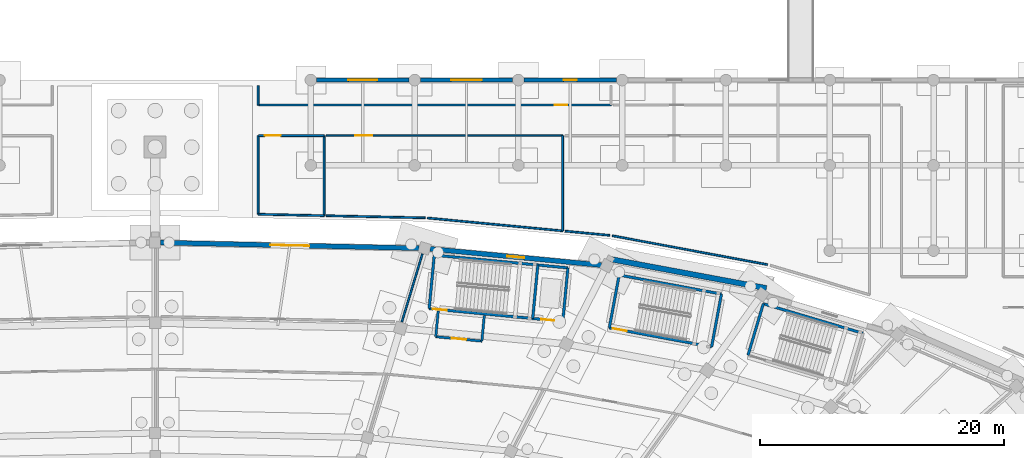
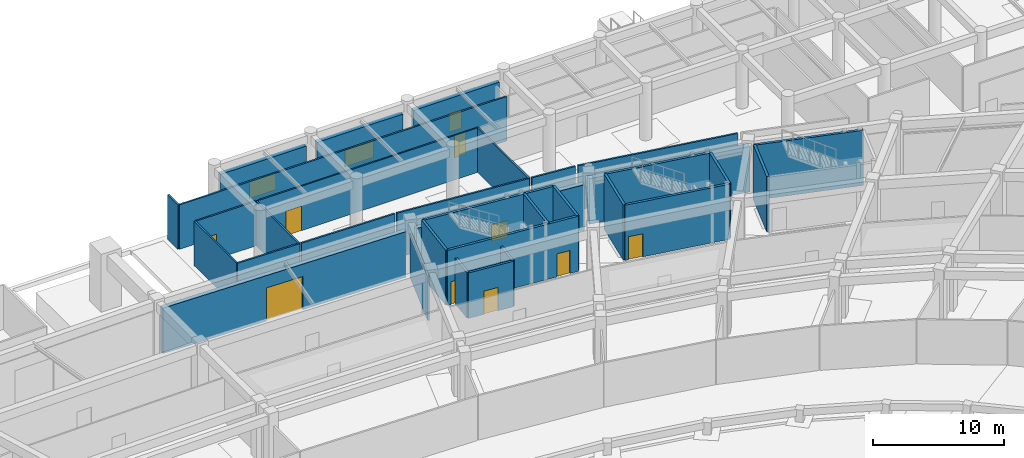
# One storey, part 62 of 88: 33 walls, 8 doors, 4 windows, 12 openings.
"""IFC4 building model written with IfcOpenShell, lengths in metres."""

from ifc_helpers import new_model, si_unit, direction, frame, frame_2d, origin, place, context, subcontext, project, spatial, rectangle, extrude, material, layer, layer_set, type_object, element, fill, save


model = new_model("IFC4")

# Units and contexts
model_context = context("Model", 3, precision=1e-05, world=origin(), true_north=direction((0.0, 1.0)))
body_context = subcontext(model_context, "Body", "Model", "MODEL_VIEW")
ifc_project = project(units=[si_unit("LENGTHUNIT", "METRE"), si_unit("AREAUNIT", "SQUARE_METRE"), si_unit("VOLUMEUNIT", "CUBIC_METRE"), si_unit("PLANEANGLEUNIT", "RADIAN"), si_unit("MASSUNIT", "GRAM", prefix="KILO")], contexts=[model_context])

# Site, building, storey
site_placement = place(None, origin())
site = spatial("IfcSite", under=ifc_project, at=site_placement, CompositionType="ELEMENT")
building_placement = place(site_placement, origin())
building = spatial("IfcBuilding", under=site, at=building_placement, Name="Mphavela Belvedere Stadium", CompositionType="ELEMENT")
storey_placement = place(building_placement, origin())
storey = spatial("IfcBuildingStorey", under=building, at=storey_placement, Name="L00", CompositionType="ELEMENT", Elevation=0.0)

# Walls
ifc_material_1 = material(Name="Concrete C40/50", Category="concrete")
ifc_layer_1 = layer(ifc_material_1, 0.219970703125)
ifc_layer_set_1 = layer_set([ifc_layer_1], Name="Concrete C40/50")
wall_type_1 = type_object("IfcWallType", Name="WAL-CORE-SHEAR-220", PredefinedType="SHEAR", material=ifc_layer_set_1)
wall_1_placement = place(storey_placement, frame((137.908935546875, 159.633544921875, 0.0), z_axis=(0.0, 0.0, 1.0), x_axis=(0.99547962713, -0.094975322952, 0.0)))
element("IfcWall", 1, at=wall_1_placement, inside=storey, type_object=wall_type_1, Name="Core C03 shear wall L00 rear", PredefinedType="SHEAR", context=body_context, shape_type="SweptSolid", body=[
    extrude(rectangle(XDim=11.02001953125, YDim=0.219970703125, at=frame_2d((5.510009765625, 0.0))), origin(), (0.0, 0.0, 1.0), 5.14990234375),
])
wall_2_placement = place(storey_placement, frame((137.489990234375, 155.243408203125, 0.0), z_axis=(0.0, 0.0, 1.0), x_axis=(0.094997189401, 0.995477540684, 0.0)))
element("IfcWall", 2, at=wall_2_placement, inside=storey, type_object=wall_type_1, Name="Core C03 shear wall L00 left", PredefinedType="SHEAR", context=body_context, shape_type="SweptSolid", body=[
    extrude(rectangle(XDim=4.41015625, YDim=0.219970703125, at=frame_2d((2.205078125, 0.0))), origin(), (0.0, 0.0, 1.0), 5.14990234375),
])
wall_3_placement = place(storey_placement, frame((148.460205078125, 154.197021484375, 0.0), z_axis=(0.0, 0.0, 1.0), x_axis=(0.095002424918, 0.995477041051, 0.0)))
element("IfcWall", 3, at=wall_3_placement, inside=storey, type_object=wall_type_1, Name="Core C03 shear wall L00 right", PredefinedType="SHEAR", context=body_context, shape_type="SweptSolid", body=[
    extrude(rectangle(XDim=4.409912109375, YDim=0.219970703125, at=frame_2d((2.205078125, 0.0))), origin(), (0.0, 0.0, 1.0), 5.14990234375),
])

# Wall, openings, doors
wall_4_placement = place(storey_placement, frame((137.489990234375, 155.243408203125, 0.0), z_axis=(0.0, 0.0, 1.0), x_axis=(0.995481721489, -0.094953368458, 0.0)))
wall_4 = element("IfcWall", 4, at=wall_4_placement, inside=storey, type_object=wall_type_1, Name="Core C03 shear wall L00 front", PredefinedType="SHEAR", context=body_context, shape_type="SweptSolid", body=[
    extrude(rectangle(XDim=11.02001953125, YDim=0.219970703125, at=frame_2d((5.510009765625, 0.0))), origin(), (0.0, 0.0, 1.0), 5.14990234375),
])
opening_1_placement = place(wall_4_placement, frame((0.300048828125, 0.0, 0.0)))
opening_1 = element("IfcOpeningElement", 5, at=opening_1_placement, cuts=wall_4, Name="Opening SD-011", PredefinedType="OPENING", context=body_context, shape_type="SweptSolid", body=[
    extrude(rectangle(XDim=1.14990234375, YDim=2.14990234375, at=frame_2d((0.574951171875, 1.074951171875))), frame((0.0, 0.1201171875, 0.0), z_axis=(0.0, -1.0, 0.0), x_axis=(1.0, 0.0, 0.0)), (0.0, 0.0, 1.0), 0.239990234375),
])
opening_2_placement = place(wall_4_placement, frame((9.22998046875, 0.0, 0.0)))
opening_2 = element("IfcOpeningElement", 6, at=opening_2_placement, cuts=wall_4, Name="Opening LD-011", PredefinedType="OPENING", context=body_context, shape_type="SweptSolid", body=[
    extrude(rectangle(XDim=1.10009765625, YDim=2.14990234375, at=frame_2d((0.550048828125, 1.074951171875))), frame((0.0, 0.1201171875, 0.0), z_axis=(0.0, -1.0, 0.0), x_axis=(1.0, 0.0, 0.0)), (0.0, 0.0, 1.0), 0.239990234375),
])
ifc_material_2 = material(Name="Stainless steel center-parting lift landing door", Category="steel")
door_type_1 = type_object("IfcDoorType", Name="DR-LIFT-SLIDE-1100", OperationType="NOTDEFINED", PredefinedType="DOOR", material=ifc_material_2)
door_1_placement = place(opening_2_placement, origin())
door_1 = element("IfcDoor", 7, at=door_1_placement, inside=storey, type_object=door_type_1, Name="Lift landing sliding door FL02 L00", OperationType="DOUBLE_DOOR_SLIDING", OverallHeight=2.14990234375, OverallWidth=1.10009765625, PredefinedType="DOOR", context=body_context, shape_type="SweptSolid", body=[
    extrude(rectangle(XDim=1.10009765625, YDim=2.14990234375, at=frame_2d((0.550048828125, 1.074951171875))), frame((0.0, 0.02490234375, 0.0), z_axis=(0.0, -1.0, 0.0), x_axis=(1.0, 0.0, 0.0)), (0.0, 0.0, 1.0), 0.050048828125),
])
fill(opening_2, door_1)
ifc_material_3 = material(Name="Steel acoustic fire-resisting stair doorset", Category="steel")
door_type_2 = type_object("IfcDoorType", Name="DR-STAIR-FIRE-1150", OperationType="NOTDEFINED", PredefinedType="DOOR", material=ifc_material_3)
door_2_placement = place(opening_1_placement, origin())
door_2 = element("IfcDoor", 8, at=door_2_placement, inside=storey, type_object=door_type_2, Name="Escape stair fire door C03 L00", OperationType="SINGLE_SWING_RIGHT", OverallHeight=2.14990234375, OverallWidth=1.14990234375, PredefinedType="DOOR", context=body_context, shape_type="SweptSolid", body=[
    extrude(rectangle(XDim=1.14990234375, YDim=2.14990234375, at=frame_2d((0.574951171875, 1.074951171875))), frame((0.0, 0.02490234375, 0.0), z_axis=(0.0, -1.0, 0.0), x_axis=(1.0, 0.0, 0.0)), (0.0, 0.0, 1.0), 0.050048828125),
])
fill(opening_1, door_2)

# Walls
wall_5_placement = place(storey_placement, frame((145.991455078125, 154.432373046875, 0.0), z_axis=(0.0, 0.0, 1.0), x_axis=(0.094997189401, 0.995477540684, 0.0)))
element("IfcWall", 9, at=wall_5_placement, inside=storey, type_object=wall_type_1, Name="Core C03 shear wall L00 div", PredefinedType="SHEAR", context=body_context, shape_type="SweptSolid", body=[
    extrude(rectangle(XDim=4.41015625, YDim=0.219970703125, at=frame_2d((2.205078125, 0.0))), origin(), (0.0, 0.0, 1.0), 5.14990234375),
])
wall_6_placement = place(storey_placement, frame((164.917724609375, 155.643798828125, 0.0), z_axis=(0.0, 0.0, 1.0), x_axis=(0.958675743706, -0.284500998997, 0.0)))
element("IfcWall", 10, at=wall_6_placement, inside=storey, type_object=wall_type_1, Name="Core P01 shear wall L00 rear", PredefinedType="SHEAR", context=body_context, shape_type="SweptSolid", body=[
    extrude(rectangle(XDim=8.540283203125, YDim=0.219970703125, at=frame_2d((4.27001953125, 0.0))), origin(), (0.0, 0.0, 1.0), 5.14990234375),
])
wall_7_placement = place(storey_placement, frame((163.6630859375, 151.416015625, 0.0), z_axis=(0.0, 0.0, 1.0), x_axis=(0.284497328872, 0.958676832861, 0.0)))
element("IfcWall", 11, at=wall_7_placement, inside=storey, type_object=wall_type_1, Name="Core P01 shear wall L00 left", PredefinedType="SHEAR", context=body_context, shape_type="SweptSolid", body=[
    extrude(rectangle(XDim=4.409912109375, YDim=0.219970703125, at=frame_2d((2.205078125, 0.0))), origin(), (0.0, 0.0, 1.0), 5.14990234375),
])
wall_8_placement = place(storey_placement, frame((153.0859375, 158.00146484375, 0.0), z_axis=(0.0, 0.0, 1.0), x_axis=(0.983097993869, -0.18308013123, 0.0)))
element("IfcWall", 12, at=wall_8_placement, inside=storey, type_object=wall_type_1, Name="Core P02 shear wall L00 rear", PredefinedType="SHEAR", context=body_context, shape_type="SweptSolid", body=[
    extrude(rectangle(XDim=8.539794921875, YDim=0.219970703125, at=frame_2d((4.27001953125, 0.0))), origin(), (0.0, 0.0, 1.0), 5.14990234375),
])
for number, where, z_axis, x_axis, name in (
    (13, (152.278564453125, 153.666015625, 0.0), (0.0, 0.0, 1.0), (0.183078394814, 0.983098317236, 0.0), "Core P02 shear wall L00 left"),
    (14, (160.674072265625, 152.1025390625, 0.0), (0.0, 0.0, 1.0), (0.183078394814, 0.983098317236, 0.0), "Core P02 shear wall L00 right"),
):
    element("IfcWall", number, at=place(storey_placement, frame(where, z_axis=z_axis, x_axis=x_axis)), inside=storey, type_object=wall_type_1, Name=name, PredefinedType="SHEAR", context=body_context, shape_type="SweptSolid", body=[
        extrude(rectangle(XDim=4.409912109375, YDim=0.219970703125, at=frame_2d((2.205078125, 0.0))), origin(), (0.0, 0.0, 1.0), 5.14990234375),
    ])

# Wall, opening, door
wall_9_placement = place(storey_placement, frame((152.278564453125, 153.666015625, 0.0), z_axis=(0.0, 0.0, 1.0), x_axis=(0.983097993869, -0.18308013123, 0.0)))
wall_9 = element("IfcWall", 15, at=wall_9_placement, inside=storey, type_object=wall_type_1, Name="Core P02 shear wall L00 front", PredefinedType="SHEAR", context=body_context, shape_type="SweptSolid", body=[
    extrude(rectangle(XDim=8.539794921875, YDim=0.219970703125, at=frame_2d((4.27001953125, 0.0))), origin(), (0.0, 0.0, 1.0), 5.14990234375),
])
opening_3_placement = place(wall_9_placement, frame((0.300048828125, 0.0, 0.0)))
opening_3 = element("IfcOpeningElement", 16, at=opening_3_placement, cuts=wall_9, Name="Opening SD-072", PredefinedType="OPENING", context=body_context, shape_type="SweptSolid", body=[
    extrude(rectangle(XDim=1.14990234375, YDim=2.14990234375, at=frame_2d((0.574951171875, 1.074951171875))), frame((0.0, 0.1201171875, 0.0), z_axis=(0.0, -1.0, 0.0), x_axis=(1.0, 0.0, 0.0)), (0.0, 0.0, 1.0), 0.239990234375),
])
door_3_placement = place(opening_3_placement, origin())
door_3 = element("IfcDoor", 17, at=door_3_placement, inside=storey, type_object=door_type_2, Name="Escape stair fire door P02 L00", OperationType="SINGLE_SWING_RIGHT", OverallHeight=2.14990234375, OverallWidth=1.14990234375, PredefinedType="DOOR", context=body_context, shape_type="SweptSolid", body=[
    extrude(rectangle(XDim=1.14990234375, YDim=2.14990234375, at=frame_2d((0.574951171875, 1.074951171875))), frame((0.0, 0.02490234375, 0.0), z_axis=(0.0, -1.0, 0.0), x_axis=(1.0, 0.0, 0.0)), (0.0, 0.0, 1.0), 0.050048828125),
])
fill(opening_3, door_3)

# Wall, opening, window
ifc_material_4 = material(Name="Honed ashlar limestone masonry", Category="masonry")
ifc_layer_2 = layer(ifc_material_4, 0.35009765625)
ifc_layer_set_2 = layer_set([ifc_layer_2], Name="Honed ashlar limestone masonry")
wall_type_2 = type_object("IfcWallType", Name="WAL-EXT-ASHLAR-350", PredefinedType="STANDARD", material=ifc_layer_set_2)
wall_10_placement = place(storey_placement, frame((128.2509765625, 174.0, 0.0), z_axis=(0.0, 0.0, 1.0), x_axis=(1.0, 0.0, 0.0)))
wall_10 = element("IfcWall", 18, at=wall_10_placement, inside=storey, type_object=wall_type_2, Name="North Mast and Ceremonial End Forecourt outer facade bay L00-16", PredefinedType="STANDARD", context=body_context, shape_type="SweptSolid", body=[
    extrude(rectangle(XDim=7.572021484375, YDim=0.35009765625, at=frame_2d((3.7861328125, 0.0))), origin(), (0.0, 0.0, 1.0), 4.159912109375),
])
opening_4_placement = place(wall_10_placement, frame((2.60595703125, 0.0, 0.89990234375)))
opening_4 = element("IfcOpeningElement", 19, at=opening_4_placement, cuts=wall_10, Name="Opening W-142", PredefinedType="OPENING", context=body_context, shape_type="SweptSolid", body=[
    extrude(rectangle(XDim=2.360107421875, YDim=1.550048828125, at=frame_2d((1.18017578125, 0.77490234375))), frame((0.0, 0.18505859375, 0.0), z_axis=(0.0, -1.0, 0.0), x_axis=(1.0, 0.0, 0.0)), (0.0, 0.0, 1.0), 0.3701171875),
])
ifc_material_5 = material(Name="Bronze-anodised thermally broken aluminium window", Category="aluminium")
window_type_1 = type_object("IfcWindowType", Name="WIN-EXT-10", PartitioningType="SINGLE_PANEL", PredefinedType="WINDOW", material=ifc_material_5)
window_1_placement = place(opening_4_placement, origin())
window_1 = element("IfcWindow", 20, at=window_1_placement, inside=storey, type_object=window_type_1, Name="North Mast and Ceremonial End Forecourt classical window W-142", OverallHeight=1.550048828125, OverallWidth=2.360107421875, PartitioningType="SINGLE_PANEL", PredefinedType="WINDOW", context=body_context, shape_type="SweptSolid", body=[
    extrude(rectangle(XDim=2.360107421875, YDim=1.550048828125, at=frame_2d((1.18017578125, 0.77490234375))), frame((0.0, 0.030029296875, 0.0), z_axis=(0.0, -1.0, 0.0), x_axis=(1.0, 0.0, 0.0)), (0.0, 0.0, 1.0), 0.06005859375),
])
fill(opening_4, window_1)

wall_11_placement = place(storey_placement, frame((136.76904296875, 174.0, 0.0), z_axis=(0.0, 0.0, 1.0), x_axis=(1.0, 0.0, 0.0)))
wall_11 = element("IfcWall", 21, at=wall_11_placement, inside=storey, type_object=wall_type_2, Name="North Mast and Ceremonial End Forecourt outer facade bay L00-17", PredefinedType="STANDARD", context=body_context, shape_type="SweptSolid", body=[
    extrude(rectangle(XDim=7.572998046875, YDim=0.35009765625, at=frame_2d((3.78662109375, 0.0))), origin(), (0.0, 0.0, 1.0), 4.159912109375),
])
opening_5_placement = place(wall_11_placement, frame((2.526611328125, 0.0, 0.89990234375)))
opening_5 = element("IfcOpeningElement", 22, at=opening_5_placement, cuts=wall_11, Name="Opening W-143", PredefinedType="OPENING", context=body_context, shape_type="SweptSolid", body=[
    extrude(rectangle(XDim=2.52001953125, YDim=1.550048828125, at=frame_2d((1.260009765625, 0.77490234375))), frame((0.0, 0.18505859375, 0.0), z_axis=(0.0, -1.0, 0.0), x_axis=(1.0, 0.0, 0.0)), (0.0, 0.0, 1.0), 0.3701171875),
])
ifc_material_6 = material(Name="Bronze-anodised thermally broken aluminium window", Category="aluminium")
window_type_2 = type_object("IfcWindowType", Name="WIN-EXT-11", PartitioningType="SINGLE_PANEL", PredefinedType="WINDOW", material=ifc_material_6)
window_2_placement = place(opening_5_placement, origin())
window_2 = element("IfcWindow", 23, at=window_2_placement, inside=storey, type_object=window_type_2, Name="North Mast and Ceremonial End Forecourt classical window W-143", OverallHeight=1.550048828125, OverallWidth=2.52001953125, PartitioningType="SINGLE_PANEL", PredefinedType="WINDOW", context=body_context, shape_type="SweptSolid", body=[
    extrude(rectangle(XDim=2.52001953125, YDim=1.550048828125, at=frame_2d((1.260009765625, 0.77490234375))), frame((0.0, 0.030029296875, 0.0), z_axis=(0.0, -1.0, 0.0), x_axis=(1.0, 0.0, 0.0)), (0.0, 0.0, 1.0), 0.06005859375),
])
fill(opening_5, window_2)

wall_12_placement = place(storey_placement, frame((145.2880859375, 174.0, 0.0), z_axis=(0.0, 0.0, 1.0), x_axis=(1.0, 0.0, 0.0)))
wall_12 = element("IfcWall", 24, at=wall_12_placement, inside=storey, type_object=wall_type_2, Name="North Mast and Ceremonial End Forecourt outer facade bay L00-18", PredefinedType="STANDARD", context=body_context, shape_type="SweptSolid", body=[
    extrude(rectangle(XDim=7.572021484375, YDim=0.35009765625, at=frame_2d((3.7861328125, 0.0))), origin(), (0.0, 0.0, 1.0), 4.159912109375),
])
opening_6_placement = place(wall_12_placement, frame((3.236083984375, 0.0, 0.89990234375)))
opening_6 = element("IfcOpeningElement", 25, at=opening_6_placement, cuts=wall_12, Name="Opening W-144", PredefinedType="OPENING", context=body_context, shape_type="SweptSolid", body=[
    extrude(rectangle(XDim=1.10009765625, YDim=1.75, at=frame_2d((0.550048828125, 0.875))), frame((0.0, 0.18505859375, 0.0), z_axis=(0.0, -1.0, 0.0), x_axis=(1.0, 0.0, 0.0)), (0.0, 0.0, 1.0), 0.3701171875),
])
ifc_material_7 = material(Name="Bronze-anodised thermally broken aluminium window", Category="aluminium")
window_type_3 = type_object("IfcWindowType", Name="WIN-EXT-12", PartitioningType="SINGLE_PANEL", PredefinedType="WINDOW", material=ifc_material_7)
window_3_placement = place(opening_6_placement, origin())
window_3 = element("IfcWindow", 26, at=window_3_placement, inside=storey, type_object=window_type_3, Name="North Mast and Ceremonial End Forecourt classical window W-144", OverallHeight=1.75, OverallWidth=1.10009765625, PartitioningType="SINGLE_PANEL", PredefinedType="WINDOW", context=body_context, shape_type="SweptSolid", body=[
    extrude(rectangle(XDim=1.10009765625, YDim=1.75, at=frame_2d((0.550048828125, 0.875))), frame((0.0, 0.030029296875, 0.0), z_axis=(0.0, -1.0, 0.0), x_axis=(1.0, 0.0, 0.0)), (0.0, 0.0, 1.0), 0.06005859375),
])
fill(opening_6, window_3)

ifc_material_8 = material(Name="Rusticated ashlar limestone masonry", Category="masonry")
ifc_layer_3 = layer(ifc_material_8, 0.39990234375)
ifc_layer_set_3 = layer_set([ifc_layer_3], Name="Rusticated ashlar limestone masonry")
wall_type_3 = type_object("IfcWallType", Name="WAL-EXT-ASHLAR-400", PredefinedType="STANDARD", material=ifc_layer_set_3)
wall_13_placement = place(storey_placement, frame((137.560546875, 160.1513671875, 0.0), z_axis=(0.0, 0.0, 1.0), x_axis=(0.995482650467, -0.094943628644, 0.0)))
wall_13 = element("IfcWall", 27, at=wall_13_placement, inside=storey, type_object=wall_type_3, Name="Ground plinth rusticated ashlar wall 11", PredefinedType="STANDARD", context=body_context, shape_type="SweptSolid", body=[
    extrude(rectangle(XDim=14.1298828125, YDim=0.39990234375, at=frame_2d((7.06494140625, 0.0))), origin(), (0.0, 0.0, 1.0), 4.25),
])
opening_7_placement = place(wall_13_placement, frame((6.375, 0.0, 1.10009765625)))
opening_7 = element("IfcOpeningElement", 28, at=opening_7_placement, cuts=wall_13, Name="Opening W-003", PredefinedType="OPENING", context=body_context, shape_type="SweptSolid", body=[
    extrude(rectangle(XDim=1.3798828125, YDim=1.550048828125, at=frame_2d((0.68994140625, 0.77490234375))), frame((0.0, 0.2099609375, 0.0), z_axis=(0.0, -1.0, 0.0), x_axis=(1.0, 0.0, 0.0)), (0.0, 0.0, 1.0), 0.419921875),
])
ifc_material_9 = material(Name="Bronze-anodised thermally broken aluminium window", Category="aluminium")
window_type_4 = type_object("IfcWindowType", Name="WIN-EXT-03", PartitioningType="SINGLE_PANEL", PredefinedType="WINDOW", material=ifc_material_9)
window_4_placement = place(opening_7_placement, origin())
window_4 = element("IfcWindow", 29, at=window_4_placement, inside=storey, type_object=window_type_4, Name="Plinth classical window W-003", OverallHeight=1.550048828125, OverallWidth=1.3798828125, PartitioningType="SINGLE_PANEL", PredefinedType="WINDOW", context=body_context, shape_type="SweptSolid", body=[
    extrude(rectangle(XDim=1.3798828125, YDim=1.550048828125, at=frame_2d((0.68994140625, 0.77490234375))), frame((0.0, 0.030029296875, 0.0), z_axis=(0.0, -1.0, 0.0), x_axis=(1.0, 0.0, 0.0)), (0.0, 0.0, 1.0), 0.06005859375),
])
fill(opening_7, window_4)

# Wall, opening, door
wall_14_placement = place(storey_placement, frame((115.447998046875, 160.660400390625, 0.0), z_axis=(0.0, 0.0, 1.0), x_axis=(0.999768115817, -0.021534033422, 0.0)))
wall_14 = element("IfcWall", 30, at=wall_14_placement, inside=storey, type_object=wall_type_3, Name="Ground plinth rusticated ashlar wall 12", PredefinedType="STANDARD", context=body_context, shape_type="SweptSolid", body=[
    extrude(rectangle(XDim=21.2236328125, YDim=0.39990234375, at=frame_2d((10.61181640625, 0.0))), origin(), (0.0, 0.0, 1.0), 4.25),
])
opening_8_placement = place(wall_14_placement, frame((9.011962890625, 0.0, 0.0)))
opening_8 = element("IfcOpeningElement", 31, at=opening_8_placement, cuts=wall_14, Name="Opening GT-01", PredefinedType="OPENING", context=body_context, shape_type="SweptSolid", body=[
    extrude(rectangle(XDim=3.199951171875, YDim=3.10009765625, at=frame_2d((1.60009765625, 1.550048828125))), frame((0.0, 0.2099609375, 0.0), z_axis=(0.0, -1.0, 0.0), x_axis=(1.0, 0.0, 0.0)), (0.0, 0.0, 1.0), 0.419921875),
])
ifc_material_10 = material(Name="Architectural bronze security gate")
door_type_3 = type_object("IfcDoorType", Name="GT-SRV-01", OperationType="NOTDEFINED", PredefinedType="GATE", material=ifc_material_10)
door_4_placement = place(opening_8_placement, origin())
door_4 = element("IfcDoor", 32, at=door_4_placement, inside=storey, type_object=door_type_3, Name="Portal service gate GT-01", OperationType="DOUBLE_DOOR_SINGLE_SWING", OverallHeight=3.10009765625, OverallWidth=3.199951171875, PredefinedType="GATE", context=body_context, shape_type="SweptSolid", body=[
    extrude(rectangle(XDim=3.199951171875, YDim=3.10009765625, at=frame_2d((1.60009765625, 1.550048828125))), frame((0.0, 0.02490234375, 0.0), z_axis=(0.0, -1.0, 0.0), x_axis=(1.0, 0.0, 0.0)), (0.0, 0.0, 1.0), 0.050048828125),
])
fill(opening_8, door_4)

ifc_material_11 = material(Name="Moisture-resistant sanitary partition assembly")
ifc_layer_4 = layer(ifc_material_11, 0.125)
ifc_layer_set_4 = layer_set([ifc_layer_4], Name="Moisture-resistant sanitary partition assembly")
wall_type_4 = type_object("IfcWallType", Name="WAL-PART-125", PredefinedType="PARTITIONING", material=ifc_layer_set_4)
wall_15_placement = place(storey_placement, frame((129.030029296875, 169.43994140625, 0.0), z_axis=(0.0, 0.0, 1.0), x_axis=(1.0, 0.0, 0.0)))
wall_15 = element("IfcWall", 33, at=wall_15_placement, inside=storey, type_object=wall_type_4, Name="Room L00-191 corridor partition", PredefinedType="PARTITIONING", context=body_context, shape_type="SweptSolid", body=[
    extrude(rectangle(XDim=19.4150390625, YDim=0.125, at=frame_2d((9.70751953125, 0.0))), origin(), (0.0, 0.0, 1.0), 4.14990234375),
])
opening_9_placement = place(wall_15_placement, frame((2.405029296875, 0.0, 0.0)))
opening_9 = element("IfcOpeningElement", 34, at=opening_9_placement, cuts=wall_15, Name="Opening ID-432", PredefinedType="OPENING", context=body_context, shape_type="SweptSolid", body=[
    extrude(rectangle(XDim=1.39990234375, YDim=2.300048828125, at=frame_2d((0.699951171875, 1.14990234375))), frame((0.0, 0.072509765625, 0.0), z_axis=(0.0, -1.0, 0.0), x_axis=(1.0, 0.0, 0.0)), (0.0, 0.0, 1.0), 0.14501953125),
])
ifc_material_12 = material(Name="Hardwood acoustic timber doorset", Category="wood")
door_type_4 = type_object("IfcDoorType", Name="DR-INT-36", OperationType="NOTDEFINED", PredefinedType="DOOR", material=ifc_material_12)
door_5_placement = place(opening_9_placement, origin())
door_5 = element("IfcDoor", 35, at=door_5_placement, inside=storey, type_object=door_type_4, Name="Room L00-191 entrance door ID-432", OperationType="SINGLE_SWING_RIGHT", OverallHeight=2.300048828125, OverallWidth=1.39990234375, PredefinedType="DOOR", context=body_context, shape_type="SweptSolid", body=[
    extrude(rectangle(XDim=1.39990234375, YDim=2.300048828125, at=frame_2d((0.699951171875, 1.14990234375))), frame((0.0, 0.02490234375, 0.0), z_axis=(0.0, -1.0, 0.0), x_axis=(1.0, 0.0, 0.0)), (0.0, 0.0, 1.0), 0.050048828125),
])
fill(opening_9, door_5)

ifc_material_13 = material(Name="Acoustic gypsum stud partition assembly")
ifc_layer_5 = layer(ifc_material_13, 0.14990234375)
ifc_layer_set_5 = layer_set([ifc_layer_5], Name="Acoustic gypsum stud partition assembly")
wall_type_5 = type_object("IfcWallType", Name="WAL-PART-150", PredefinedType="PARTITIONING", material=ifc_layer_set_5)
wall_16_placement = place(storey_placement, frame((123.5, 169.43994140625, 0.0), z_axis=(0.0, 0.0, 1.0), x_axis=(1.0, 0.0, 0.0)))
wall_16 = element("IfcWall", 36, at=wall_16_placement, inside=storey, type_object=wall_type_5, Name="Room L00-190 corridor partition", PredefinedType="PARTITIONING", context=body_context, shape_type="SweptSolid", body=[
    extrude(rectangle(XDim=5.3701171875, YDim=0.14990234375, at=frame_2d((2.68505859375, 0.0))), origin(), (0.0, 0.0, 1.0), 4.14990234375),
])
opening_10_placement = place(wall_16_placement, frame((0.490478515625, 0.0, 0.0)))
opening_10 = element("IfcOpeningElement", 37, at=opening_10_placement, cuts=wall_16, Name="Opening ID-431", PredefinedType="OPENING", context=body_context, shape_type="SweptSolid", body=[
    extrude(rectangle(XDim=1.320068359375, YDim=2.300048828125, at=frame_2d((0.66015625, 1.14990234375))), frame((0.0, 0.0849609375, 0.0), z_axis=(0.0, -1.0, 0.0), x_axis=(1.0, 0.0, 0.0)), (0.0, 0.0, 1.0), 0.169921875),
])
ifc_material_14 = material(Name="Hardwood acoustic timber doorset", Category="wood")
door_type_5 = type_object("IfcDoorType", Name="DR-INT-35", OperationType="NOTDEFINED", PredefinedType="DOOR", material=ifc_material_14)
door_6_placement = place(opening_10_placement, origin())
door_6 = element("IfcDoor", 38, at=door_6_placement, inside=storey, type_object=door_type_5, Name="Room L00-190 entrance door ID-431", OperationType="SINGLE_SWING_LEFT", OverallHeight=2.300048828125, OverallWidth=1.320068359375, PredefinedType="DOOR", context=body_context, shape_type="SweptSolid", body=[
    extrude(rectangle(XDim=1.320068359375, YDim=2.300048828125, at=frame_2d((0.66015625, 1.14990234375))), frame((0.0, 0.02490234375, 0.0), z_axis=(0.0, -1.0, 0.0), x_axis=(1.0, 0.0, 0.0)), (0.0, 0.0, 1.0), 0.050048828125),
])
fill(opening_10, door_6)

wall_17_placement = place(storey_placement, frame((152.419921875, 171.9599609375, 0.0), z_axis=(0.0, 0.0, 1.0), x_axis=(-1.0, 0.0, 0.0)))
wall_17 = element("IfcWall", 39, at=wall_17_placement, inside=storey, type_object=wall_type_5, Name="Room L00-195 corridor partition", PredefinedType="PARTITIONING", context=body_context, shape_type="SweptSolid", body=[
    extrude(rectangle(XDim=28.919921875, YDim=0.14990234375, at=frame_2d((14.4599609375, 0.0))), origin(), (0.0, 0.0, 1.0), 4.14990234375),
])
opening_11_placement = place(wall_17_placement, frame((3.59130859375, 0.0, 0.0)))
opening_11 = element("IfcOpeningElement", 40, at=opening_11_placement, cuts=wall_17, Name="Opening ID-436", PredefinedType="OPENING", context=body_context, shape_type="SweptSolid", body=[
    extrude(rectangle(XDim=1.02001953125, YDim=2.10009765625, at=frame_2d((0.510009765625, 1.050048828125))), frame((0.0, 0.0849609375, 0.0), z_axis=(0.0, -1.0, 0.0), x_axis=(1.0, 0.0, 0.0)), (0.0, 0.0, 1.0), 0.169921875),
])
ifc_material_15 = material(Name="Hardwood acoustic timber doorset", Category="wood")
door_type_6 = type_object("IfcDoorType", Name="DR-INT-04", OperationType="NOTDEFINED", PredefinedType="DOOR", material=ifc_material_15)
door_7_placement = place(opening_11_placement, origin())
door_7 = element("IfcDoor", 41, at=door_7_placement, inside=storey, type_object=door_type_6, Name="Room L00-195 entrance door ID-436", OperationType="SINGLE_SWING_RIGHT", OverallHeight=2.10009765625, OverallWidth=1.02001953125, PredefinedType="DOOR", context=body_context, shape_type="SweptSolid", body=[
    extrude(rectangle(XDim=1.02001953125, YDim=2.10009765625, at=frame_2d((0.510009765625, 1.050048828125))), frame((0.0, 0.02490234375, 0.0), z_axis=(0.0, -1.0, 0.0), x_axis=(1.0, 0.0, 0.0)), (0.0, 0.0, 1.0), 0.050048828125),
])
fill(opening_11, door_7)

# Walls
wall_18_placement = place(storey_placement, frame((136.931640625, 159.726806640625, 0.0), z_axis=(0.0, 0.0, 1.0), x_axis=(-0.289195444178, -0.957270074256, 0.0)))
element("IfcWall", 42, at=wall_18_placement, inside=storey, type_object=wall_type_5, Name="Room divider partition L00-0037", PredefinedType="PARTITIONING", context=body_context, shape_type="SweptSolid", body=[
    extrude(rectangle(XDim=5.8173828125, YDim=0.14990234375, at=frame_2d((2.90869140625, 0.0))), origin(), (0.0, 0.0, 1.0), 4.14990234375),
])
wall_19_placement = place(storey_placement, frame((123.449951171875, 162.988525390625, 0.0), z_axis=(0.0, 0.0, 1.0), x_axis=(0.0, 1.0, 0.0)))
element("IfcWall", 43, at=wall_19_placement, inside=storey, type_object=wall_type_5, Name="Room divider partition L00-0922", PredefinedType="PARTITIONING", context=body_context, shape_type="SweptSolid", body=[
    extrude(rectangle(XDim=6.459716796875, YDim=0.14990234375, at=frame_2d((3.22998046875, 0.0))), origin(), (0.0, 0.0, 1.0), 4.14990234375),
])
wall_20_placement = place(storey_placement, frame((128.8701171875, 169.43994140625, 0.0), z_axis=(0.0, 0.0, 1.0), x_axis=(0.0, -1.0, 0.0)))
element("IfcWall", 44, at=wall_20_placement, inside=storey, type_object=wall_type_5, Name="Room divider partition L00-0923", PredefinedType="PARTITIONING", context=body_context, shape_type="SweptSolid", body=[
    extrude(rectangle(XDim=6.568115234375, YDim=0.14990234375, at=frame_2d((3.2841796875, 0.0))), origin(), (0.0, 0.0, 1.0), 4.14990234375),
])
wall_21_placement = place(storey_placement, frame((128.8701171875, 162.871826171875, 0.0), z_axis=(0.0, 0.0, 1.0), x_axis=(-0.99976829801, 0.021525573012, 0.0)))
element("IfcWall", 45, at=wall_21_placement, inside=storey, type_object=wall_type_5, Name="Room divider partition L00-0924", PredefinedType="PARTITIONING", context=body_context, shape_type="SweptSolid", body=[
    extrude(rectangle(XDim=5.42138671875, YDim=0.14990234375, at=frame_2d((2.710693359375, 0.0))), origin(), (0.0, 0.0, 1.0), 4.14990234375),
])
wall_22_placement = place(storey_placement, frame((137.16845703125, 162.693115234375, 0.0), z_axis=(0.0, 0.0, 1.0), x_axis=(-0.999768118076, 0.021533928567, 0.0)))
element("IfcWall", 46, at=wall_22_placement, inside=storey, type_object=wall_type_5, Name="Room divider partition L00-0925", PredefinedType="PARTITIONING", context=body_context, shape_type="SweptSolid", body=[
    extrude(rectangle(XDim=8.140380859375, YDim=0.14990234375, at=frame_2d((4.0703125, 0.0))), origin(), (0.0, 0.0, 1.0), 4.14990234375),
])
wall_23_placement = place(storey_placement, frame((148.445068359375, 169.43994140625, 0.0), z_axis=(0.0, 0.0, 1.0), x_axis=(0.0, -1.0, 0.0)))
element("IfcWall", 47, at=wall_23_placement, inside=storey, type_object=wall_type_5, Name="Room divider partition L00-0926", PredefinedType="PARTITIONING", context=body_context, shape_type="SweptSolid", body=[
    extrude(rectangle(XDim=7.815185546875, YDim=0.14990234375, at=frame_2d((3.90771484375, 0.0))), origin(), (0.0, 0.0, 1.0), 4.14990234375),
])
wall_24_placement = place(storey_placement, frame((148.445068359375, 161.624755859375, 0.0), z_axis=(0.0, 0.0, 1.0), x_axis=(-0.995483944756, 0.094930057059, 0.0)))
element("IfcWall", 48, at=wall_24_placement, inside=storey, type_object=wall_type_5, Name="Room divider partition L00-0927", PredefinedType="PARTITIONING", context=body_context, shape_type="SweptSolid", body=[
    extrude(rectangle(XDim=11.1435546875, YDim=0.14990234375, at=frame_2d((5.57177734375, 0.0))), origin(), (0.0, 0.0, 1.0), 4.14990234375),
])
wall_25_placement = place(storey_placement, frame((165.2587890625, 158.8544921875, 0.0), z_axis=(0.0, 0.0, 1.0), x_axis=(-0.983094545276, 0.183098648406, 0.0)))
element("IfcWall", 49, at=wall_25_placement, inside=storey, type_object=wall_type_5, Name="Room divider partition L00-0928", PredefinedType="PARTITIONING", context=body_context, shape_type="SweptSolid", body=[
    extrude(rectangle(XDim=12.947265625, YDim=0.14990234375, at=frame_2d((6.4736328125, 0.0))), origin(), (0.0, 0.0, 1.0), 4.14990234375),
])
wall_26_placement = place(storey_placement, frame((152.31005859375, 161.256103515625, 0.0), z_axis=(0.0, 0.0, 1.0), x_axis=(-0.995481155674, 0.094959300221, 0.0)))
element("IfcWall", 50, at=wall_26_placement, inside=storey, type_object=wall_type_5, Name="Room divider partition L00-0929", PredefinedType="PARTITIONING", context=body_context, shape_type="SweptSolid", body=[
    extrude(rectangle(XDim=3.681640625, YDim=0.14990234375, at=frame_2d((1.8408203125, 0.0))), origin(), (0.0, 0.0, 1.0), 4.14990234375),
])
wall_27_placement = place(storey_placement, frame((123.449951171875, 171.951904296875, 0.0), z_axis=(0.0, 0.0, 1.0), x_axis=(0.0, 1.0, 0.0)))
element("IfcWall", 51, at=wall_27_placement, inside=storey, type_object=wall_type_5, Name="Room divider partition L00-0938", PredefinedType="PARTITIONING", context=body_context, shape_type="SweptSolid", body=[
    extrude(rectangle(XDim=1.59814453125, YDim=0.14990234375, at=frame_2d((0.799072265625, 0.0))), origin(), (0.0, 0.0, 1.0), 4.14990234375),
])

# Wall, opening, door
ifc_material_16 = material(Name="Fire-rated calcium silicate partition assembly")
ifc_layer_6 = layer(ifc_material_16, 0.199951171875)
ifc_layer_set_6 = layer_set([ifc_layer_6], Name="Fire-rated calcium silicate partition assembly")
wall_type_6 = type_object("IfcWallType", Name="WAL-PART-FF-200", PredefinedType="PARTITIONING", material=ifc_layer_set_6)
wall_28_placement = place(storey_placement, frame((138.033447265625, 152.9365234375, 0.0), z_axis=(0.0, 0.0, 1.0), x_axis=(0.995481022971, -0.094960691361, 0.0)))
wall_28 = element("IfcWall", 52, at=wall_28_placement, inside=storey, type_object=wall_type_6, Name="Firefighting lobby front wall C03 L00", PredefinedType="PARTITIONING", context=body_context, shape_type="SweptSolid", body=[
    extrude(rectangle(XDim=3.7998046875, YDim=0.199951171875, at=frame_2d((1.89990234375, 0.0))), origin(), (0.0, 0.0, 1.0), 4.25),
])
opening_12_placement = place(wall_28_placement, frame((1.300048828125, 0.0, 0.0)))
opening_12 = element("IfcOpeningElement", 53, at=opening_12_placement, cuts=wall_28, Name="Opening FD-006", PredefinedType="OPENING", context=body_context, shape_type="SweptSolid", body=[
    extrude(rectangle(XDim=1.199951171875, YDim=2.179931640625, at=frame_2d((0.60009765625, 1.08984375))), frame((0.0, 0.10986328125, 0.0), z_axis=(0.0, -1.0, 0.0), x_axis=(1.0, 0.0, 0.0)), (0.0, 0.0, 1.0), 0.219970703125),
])
ifc_material_17 = material(Name="Steel smoke-sealed firefighting lobby doorset", Category="steel")
door_type_7 = type_object("IfcDoorType", Name="DR-FF-LOBBY-1200", OperationType="NOTDEFINED", PredefinedType="DOOR", material=ifc_material_17)
door_8_placement = place(opening_12_placement, origin())
door_8 = element("IfcDoor", 54, at=door_8_placement, inside=storey, type_object=door_type_7, Name="Firefighting lobby door C03 L00", OperationType="SINGLE_SWING_LEFT", OverallHeight=2.179931640625, OverallWidth=1.199951171875, PredefinedType="DOOR", context=body_context, shape_type="SweptSolid", body=[
    extrude(rectangle(XDim=1.199951171875, YDim=2.179931640625, at=frame_2d((0.60009765625, 1.08984375))), frame((0.0, 0.02490234375, 0.0), z_axis=(0.0, -1.0, 0.0), x_axis=(1.0, 0.0, 0.0)), (0.0, 0.0, 1.0), 0.050048828125),
])
fill(opening_12, door_8)

# Walls
for number, where, z_axis, x_axis, name in (
    (55, (138.033447265625, 152.9365234375, 0.0), (0.0, 0.0, 1.0), (0.095010174536, 0.995476301443, 0.0), "Firefighting lobby side wall L C03 L00"),
    (56, (141.816162109375, 152.57568359375, 0.0), (0.0, 0.0, 1.0), (0.095010174536, 0.995476301443, 0.0), "Firefighting lobby side wall R C03 L00"),
):
    element("IfcWall", number, at=place(storey_placement, frame(where, z_axis=z_axis, x_axis=x_axis)), inside=storey, type_object=wall_type_6, Name=name, PredefinedType="PARTITIONING", context=body_context, shape_type="SweptSolid", body=[
        extrude(rectangle(XDim=2.119873046875, YDim=0.199951171875, at=frame_2d((1.06005859375, 0.0))), origin(), (0.0, 0.0, 1.0), 4.25),
    ])
ifc_material_18 = material(Name="Concrete C40/50", Category="concrete")
ifc_layer_7 = layer(ifc_material_18, 0.449951171875)
ifc_layer_set_7 = layer_set([ifc_layer_7], Name="Concrete C40/50")
wall_type_7 = type_object("IfcWallType", Name="WALL-RETAINING-450", PredefinedType="USERDEFINED", material=ifc_layer_set_7)
wall_29_placement = place(storey_placement, frame((165.177001953125, 156.920654296875, 0.0), z_axis=(0.0, 0.0, 1.0), x_axis=(-0.983095830164, 0.183091749443, 0.0)))
element("IfcWall", 57, at=wall_29_placement, inside=storey, type_object=wall_type_7, Name="Uphill earth-bank retaining wall 10", ObjectType="RETAININGWALL", PredefinedType="USERDEFINED", context=body_context, shape_type="SweptSolid", body=[
    extrude(rectangle(XDim=13.044921875, YDim=0.449951171875, at=frame_2d((6.5224609375, 0.0))), origin(), (0.0, 0.0, 1.0), 4.25),
])

save(model, "model.ifc")
